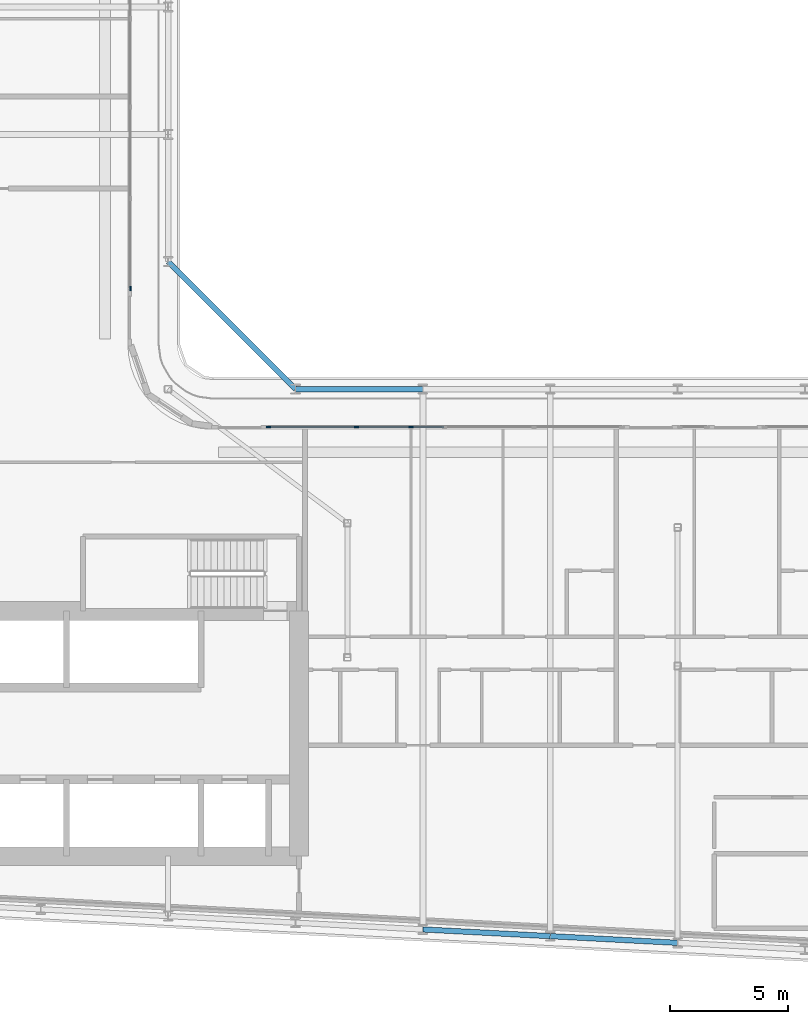
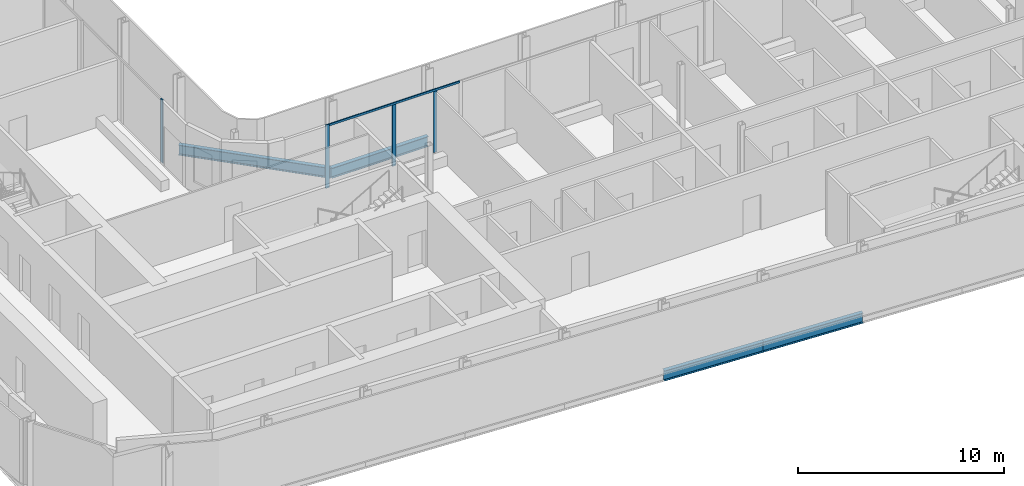
# One storey, part 4 of 24: 5 members, 4 beams, 2 elements without a shape of their own.
"""IFC4 building model written with IfcOpenShell, lengths in metres."""

from ifc_helpers import new_model, si_unit, direction, frame, origin, origin_2d, place, context, subcontext, project, spatial, rectangle, i_section, extrude, material, layer, layer_set, material_profile, profile_set, type_object, element, aggregate, save


model = new_model("IFC4")

# Units and contexts
model_context = context("Model", 3, precision=1e-05, world=origin(), true_north=direction((0.0, 1.0)))
body_context = subcontext(model_context, "Body", "Model", "MODEL_VIEW")
ifc_project = project(units=[si_unit("LENGTHUNIT", "METRE"), si_unit("AREAUNIT", "SQUARE_METRE"), si_unit("VOLUMEUNIT", "CUBIC_METRE"), si_unit("PLANEANGLEUNIT", "RADIAN"), si_unit("MASSUNIT", "GRAM", prefix="KILO")], contexts=[model_context])

# Site, building, storey
site_placement = place(None, origin())
site = spatial("IfcSite", under=ifc_project, at=site_placement, CompositionType="ELEMENT")
building_placement = place(site_placement, origin())
building = spatial("IfcBuilding", under=site, at=building_placement, Name="Kheshtan School and Residences Tower", CompositionType="ELEMENT")
storey_placement = place(building_placement, frame((0.0, 0.0, 160.39990234375)))
storey = spatial("IfcBuildingStorey", under=building, at=storey_placement, Name="L37", CompositionType="ELEMENT", Elevation=160.39990234375)

# Beams
ifc_material_1 = material(Name="Steel ASTM A992 Grade 50", Category="steel")
ifc_material_profile_1 = material_profile(ifc_material_1, i_section(OverallWidth=0.22802734375, OverallDepth=0.60302734375, WebThickness=0.010498046875, FlangeThickness=0.014892578125, FilletRadius=0.013427734375, at=origin_2d()), Name="W610x101")
ifc_profile_set_1 = profile_set([ifc_material_profile_1], Name="Steel ASTM A992 Grade 50")
beam_type = type_object("IfcBeamType", Name="Beam SP2 W610x101 ASTM A992 Grade 50", PredefinedType="BEAM", material=ifc_profile_set_1)
beam_1_placement = place(storey_placement, frame((47.60009765625, 51.0, -0.451416015625), z_axis=(0.707106781187, -0.707106781187, 0.0), x_axis=(0.707106781187, 0.707106781187, 0.0)))
element("IfcBeam", 1, at=beam_1_placement, inside=storey, type_object=beam_type, Name="Spandrel beam C079-C061", PredefinedType="BEAM", context=body_context, shape_type="SweptSolid", body=[
    extrude(i_section(OverallWidth=0.22802734375, OverallDepth=0.60302734375, WebThickness=0.010498046875, FlangeThickness=0.014892578125, FilletRadius=0.013427734375, at=origin_2d()), origin(), (0.0, 0.0, 1.0), 7.63671875),
])
beam_2_placement = place(storey_placement, frame((53.0, 45.60009765625, -0.451416015625), z_axis=(1.0, 0.0, 0.0), x_axis=(0.0, 1.0, 0.0)))
element("IfcBeam", 2, at=beam_2_placement, inside=storey, type_object=beam_type, Name="Spandrel beam C061-C062", PredefinedType="BEAM", context=body_context, shape_type="SweptSolid", body=[
    extrude(i_section(OverallWidth=0.22802734375, OverallDepth=0.60302734375, WebThickness=0.010498046875, FlangeThickness=0.014892578125, FilletRadius=0.013427734375, at=origin_2d()), origin(), (0.0, 0.0, 1.0), 5.39990234375),
])
beam_3_placement = place(storey_placement, frame((69.199951171875, 22.126953125, -0.451416015625), z_axis=(-0.998620447272, 0.05250906864, 0.0), x_axis=(-0.05250906864, -0.998620447272, 0.0)))
element("IfcBeam", 3, at=beam_3_placement, inside=storey, type_object=beam_type, Name="Spandrel beam C014-C016", PredefinedType="BEAM", context=body_context, shape_type="SweptSolid", body=[
    extrude(i_section(OverallWidth=0.22802734375, OverallDepth=0.60302734375, WebThickness=0.010498046875, FlangeThickness=0.014892578125, FilletRadius=0.013427734375, at=origin_2d()), origin(), (0.0, 0.0, 1.0), 5.407470703125),
])
beam_4_placement = place(storey_placement, frame((63.800048828125, 22.410888671875, -0.451416015625), z_axis=(-0.998618203458, 0.052551724256, 0.0), x_axis=(-0.052551724256, -0.998618203458, 0.0)))
element("IfcBeam", 4, at=beam_4_placement, inside=storey, type_object=beam_type, Name="Spandrel beam C016-C018", PredefinedType="BEAM", context=body_context, shape_type="SweptSolid", body=[
    extrude(i_section(OverallWidth=0.22802734375, OverallDepth=0.60302734375, WebThickness=0.010498046875, FlangeThickness=0.014892578125, FilletRadius=0.013427734375, at=origin_2d()), origin(), (0.0, 0.0, 1.0), 5.40771484375),
])

# Curtain wall, member
ifc_material_2 = material(Name="Clear low-e glass in thermally broken aluminium frame", Category="aluminium")
ifc_layer = layer(ifc_material_2, 0.199951171875)
ifc_layer_set = layer_set([ifc_layer], Name="Curtain wall CW-L")
curtain_wall_type = type_object("IfcCurtainWallType", Name="Curtain wall CW-L", PredefinedType="NOTDEFINED", material=ifc_layer_set)
curtain_wall_1_placement = place(storey_placement, origin())
curtain_wall_1 = element("IfcCurtainWall", 5, at=curtain_wall_1_placement, inside=storey, type_object=curtain_wall_type, Name="Curtain wall CWL8", PredefinedType="NOTDEFINED")
ifc_material_3 = material(Name="Thermally broken aluminium, dark bronze anodised", Category="aluminium")
ifc_material_profile_2 = material_profile(ifc_material_3, rectangle(XDim=0.06005859375, YDim=0.199951171875, at=origin_2d()), Name="CW-L mullion 60x200")
ifc_profile_set_2 = profile_set([ifc_material_profile_2], Name="Thermally broken aluminium, dark bronze anodised")
member_type_1 = type_object("IfcMemberType", Name="CW-L mullion 60x200", PredefinedType="MULLION", material=ifc_profile_set_2)
member_1_placement = place(storey_placement, frame((46.0, 49.860107421875, 0.0), z_axis=(0.0, 0.0, 1.0), x_axis=(1.0, 0.0, 0.0)))
member_1 = element("IfcMember", 6, at=member_1_placement, type_object=member_type_1, Name="CWL8 mullion 3", PredefinedType="MULLION", context=body_context, shape_type="SweptSolid", body=[
    extrude(rectangle(XDim=0.06005859375, YDim=0.199951171875, at=origin_2d()), origin(), (0.0, 0.0, 1.0), 3.75),
])
aggregate(curtain_wall_1, [member_1])

# Curtain wall, members
curtain_wall_2_placement = place(storey_placement, origin())
curtain_wall_2 = element("IfcCurtainWall", 7, at=curtain_wall_2_placement, inside=storey, type_object=curtain_wall_type, Name="Curtain wall CWL12", PredefinedType="NOTDEFINED")
member_2_placement = place(storey_placement, frame((51.860107421875, 44.0, 0.0), z_axis=(0.0, 0.0, 1.0), x_axis=(0.0, 1.0, 0.0)))
member_2 = element("IfcMember", 8, at=member_2_placement, type_object=member_type_1, Name="CWL12 mullion 1", PredefinedType="MULLION", context=body_context, shape_type="SweptSolid", body=[
    extrude(rectangle(XDim=0.06005859375, YDim=0.199951171875, at=origin_2d()), origin(), (0.0, 0.0, 1.0), 3.75),
])
member_3_placement = place(storey_placement, frame((55.5888671875, 44.0, 0.0), z_axis=(0.0, 0.0, 1.0), x_axis=(0.0, 1.0, 0.0)))
member_3 = element("IfcMember", 9, at=member_3_placement, type_object=member_type_1, Name="CWL12 mullion 2", PredefinedType="MULLION", context=body_context, shape_type="SweptSolid", body=[
    extrude(rectangle(XDim=0.06005859375, YDim=0.199951171875, at=origin_2d()), origin(), (0.0, 0.0, 1.0), 3.630126953125),
])
member_4_placement = place(storey_placement, frame((57.89990234375, 44.0, 0.0), z_axis=(0.0, 0.0, 1.0), x_axis=(0.0, 1.0, 0.0)))
member_4 = element("IfcMember", 10, at=member_4_placement, type_object=member_type_1, Name="CWL12 mullion 3", PredefinedType="MULLION", context=body_context, shape_type="SweptSolid", body=[
    extrude(rectangle(XDim=0.06005859375, YDim=0.199951171875, at=origin_2d()), origin(), (0.0, 0.0, 1.0), 3.630126953125),
])
ifc_material_profile_3 = material_profile(ifc_material_3, rectangle(XDim=0.06005859375, YDim=0.1201171875, at=origin_2d()), Name="CW-L transom 60x120")
ifc_profile_set_3 = profile_set([ifc_material_profile_3], Name="Thermally broken aluminium, dark bronze anodised")
member_type_2 = type_object("IfcMemberType", Name="CW-L transom 60x120", PredefinedType="USERDEFINED", material=ifc_profile_set_3)
member_5_placement = place(storey_placement, frame((51.889892578125, 44.0, 3.690185546875), z_axis=(1.0, 0.0, 0.0), x_axis=(0.0, 1.0, 0.0)))
member_5 = element("IfcMember", 11, at=member_5_placement, type_object=member_type_2, Name="CWL12 transom 1", ObjectType="TRANSOM", PredefinedType="USERDEFINED", context=body_context, shape_type="SweptSolid", body=[
    extrude(rectangle(XDim=0.06005859375, YDim=0.1201171875, at=origin_2d()), origin(), (0.0, 0.0, 1.0), 7.397705078125),
])
aggregate(curtain_wall_2, [member_2, member_3, member_4, member_5])

save(model, "model.ifc")
